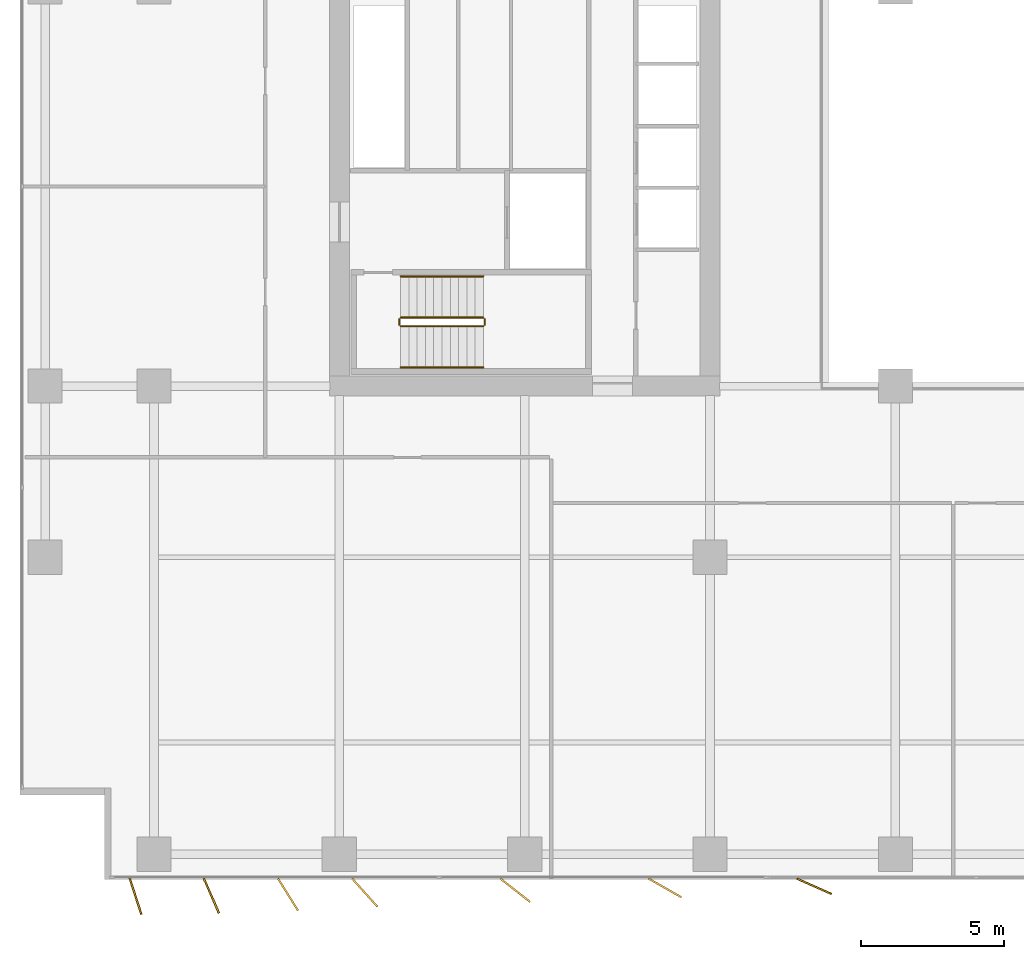
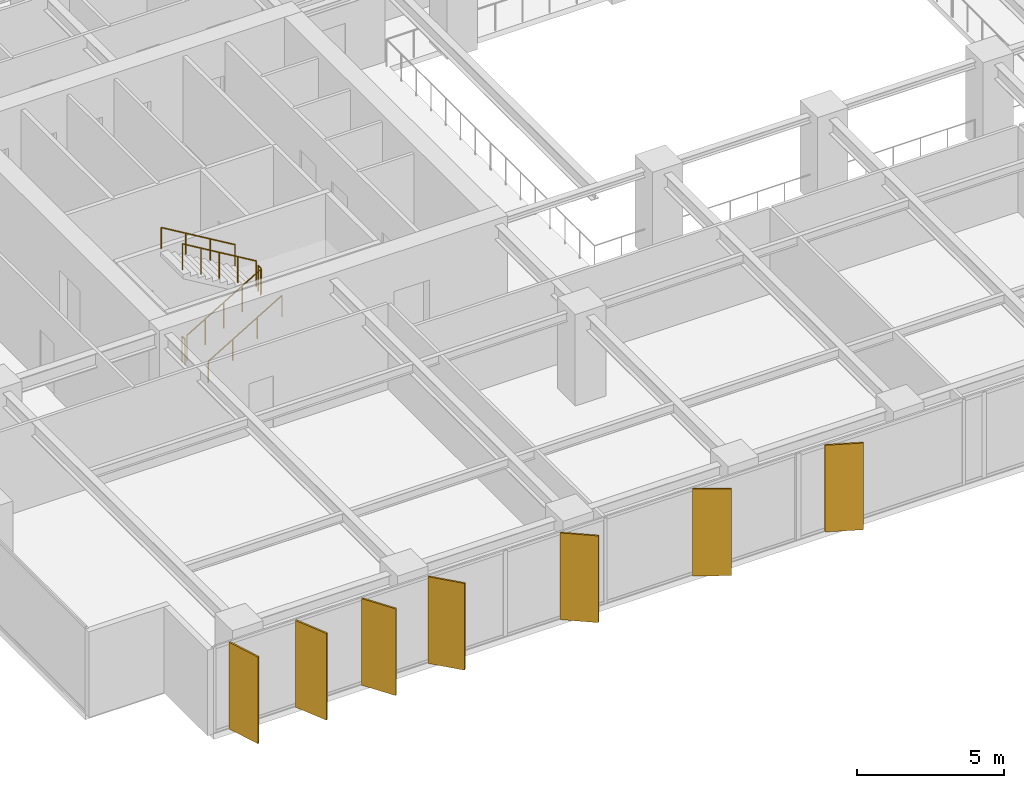
# One storey, part 17 of 20: 7 shading devices, 6 railings.
"""IFC4 building model written with IfcOpenShell, lengths in metres."""

import ifcopenshell
import ifcopenshell.guid

model = None  # the IFC model being written
_history = None  # IfcOwnerHistory: only IFC2X3 demands one
_inside = {}  # id of a spatial element -> (the spatial element, [elements in it])
_under = {}  # id of a project, library or spatial element -> (it, [spatial elements below it])
_declared = {}  # id of a project -> (the project, [libraries it declares])
_typed = {}  # id of a type object -> (the type object, [elements of that type])
_made_of = {}  # id of a material, layer set ... -> (it, [elements and type objects made of it])


def new_model(schema):
    """Start an empty IFC model of exactly this schema.

    Asked for "IFC4X3", IfcOpenShell would pick the latest addendum, in which some entities
    have other attributes; the version numbers below select the first issue.
    IFC2X3 requires an IfcOwnerHistory on every rooted entity: one is made here for all.
    """
    global model, _history
    if schema == "IFC4X3":
        model = ifcopenshell.file(schema_version=(4, 3, 0, 0))
    else:
        model = ifcopenshell.file(schema=schema)
    _inside.clear()
    _under.clear()
    _declared.clear()
    _typed.clear()
    _made_of.clear()
    _history = None
    if model.schema == "IFC2X3":
        org = make("IfcOrganization", Name="unknown")
        user = make(
            "IfcPersonAndOrganization",
            ThePerson=make("IfcPerson", FamilyName="unknown"),
            TheOrganization=org,
        )
        app = make(
            "IfcApplication",
            ApplicationDeveloper=org,
            Version="unknown",
            ApplicationFullName="unknown",
            ApplicationIdentifier="unknown",
        )
        _history = make(
            "IfcOwnerHistory",
            OwningUser=user,
            OwningApplication=app,
            ChangeAction="ADDED",
            CreationDate=0,
        )
    return model


def make(cls, **values):
    """One entity of the class cls with the attributes given. An attribute that is None is left unset."""
    return model.create_entity(
        cls, **{name: value for name, value in values.items() if value is not None}
    )


def rooted(cls, **values):
    """An entity with a GlobalId (a new one), such as an element, a storey or a relation."""
    return make(cls, GlobalId=ifcopenshell.guid.new(), OwnerHistory=_history, **values)


def si_unit(unit_type, name, prefix=None):
    """IfcSIUnit, for example si_unit("LENGTHUNIT", "METRE", prefix="MILLI")."""
    return make("IfcSIUnit", UnitType=unit_type, Prefix=prefix, Name=name)


def assignment(units):
    """IfcUnitAssignment: the units of a project."""
    return None if units is None else make("IfcUnitAssignment", Units=units)


def point(xyz):
    """IfcCartesianPoint."""
    return None if xyz is None else make("IfcCartesianPoint", Coordinates=xyz)


def direction(xyz):
    """IfcDirection."""
    return None if xyz is None else make("IfcDirection", DirectionRatios=xyz)


def frame(location, z_axis=None, x_axis=None):
    """IfcAxis2Placement3D, a coordinate frame: its origin and axes. An axis left out is left unset."""
    return make(
        "IfcAxis2Placement3D",
        Location=point(location),
        Axis=direction(z_axis),
        RefDirection=direction(x_axis),
    )


def frame_2d(location, x_axis=None):
    """IfcAxis2Placement2D, a coordinate frame in the plane: its origin and x axis."""
    return make(
        "IfcAxis2Placement2D", Location=point(location), RefDirection=direction(x_axis)
    )


def origin():
    """The frame at (0, 0, 0) with its axes left unset."""
    return frame((0.0, 0.0, 0.0))


def origin_2d():
    """The frame at (0, 0) in the plane with its x axis left unset."""
    return frame_2d((0.0, 0.0))


def place(relative_to, where):
    """IfcLocalPlacement: puts the frame where relative to a parent placement (None: the world)."""
    return make(
        "IfcLocalPlacement", PlacementRelTo=relative_to, RelativePlacement=where
    )


def context(
    kind, dimensions, precision=None, world=None, true_north=None, identifier=None
):
    """IfcGeometricRepresentationContext, for example the 3D "Model" context."""
    return make(
        "IfcGeometricRepresentationContext",
        ContextIdentifier=identifier,
        ContextType=kind,
        CoordinateSpaceDimension=dimensions,
        Precision=precision,
        WorldCoordinateSystem=world,
        TrueNorth=true_north,
    )


def subcontext(parent, identifier, kind, view, scale=None):
    """IfcGeometricRepresentationSubContext, for example "Body" below "Model"."""
    return make(
        "IfcGeometricRepresentationSubContext",
        ContextIdentifier=identifier,
        ContextType=kind,
        ParentContext=parent,
        TargetScale=scale,
        TargetView=view,
    )


def project(units=None, contexts=None):
    """IfcProject with its units and contexts."""
    return rooted(
        "IfcProject",
        Name="project",
        RepresentationContexts=contexts,
        UnitsInContext=assignment(units),
    )


def spatial(cls, under=None, at=None, **own):
    """A site, building, storey or space (cls), placed at a placement, below another one or the project."""
    s = rooted(cls, ObjectPlacement=at, **own)
    if under is not None:
        _under.setdefault(under.id(), (under, []))[1].append(s)
    return s


def profile(cls, at=None, kind="AREA", **sizes):
    """A parametric profile (cls). Its sizes go by their IFC names, for example OverallWidth=200.0."""
    return make(cls, ProfileType=kind, Position=at, **sizes)


def rectangle(**sizes):
    """IfcRectangleProfileDef."""
    return profile("IfcRectangleProfileDef", **sizes)


def circle(**sizes):
    """IfcCircleProfileDef."""
    return profile("IfcCircleProfileDef", **sizes)


def extrude(swept, where, along, depth):
    """IfcExtrudedAreaSolid: the profile swept, set in the frame where, extruded along a direction by depth."""
    return make(
        "IfcExtrudedAreaSolid",
        SweptArea=swept,
        Position=where,
        ExtrudedDirection=direction(along),
        Depth=depth,
    )


def shape(context_of_items, identifier, shape_type, items):
    """IfcShapeRepresentation: the items that make up one representation, for example the "Body"."""
    return make(
        "IfcShapeRepresentation",
        ContextOfItems=context_of_items,
        RepresentationIdentifier=identifier,
        RepresentationType=shape_type,
        Items=items,
    )


def material(Name=None, Category=None):
    """IfcMaterial."""
    return make("IfcMaterial", Name=Name, Category=Category)


def layer(
    of_material, thickness, ventilated=None, Name=None, Category=None, Priority=None
):
    """IfcMaterialLayer: one layer of a wall or slab, of a material (None: an air gap)."""
    return make(
        "IfcMaterialLayer",
        Material=of_material,
        LayerThickness=thickness,
        IsVentilated=ventilated,
        Name=Name,
        Category=Category,
        Priority=Priority,
    )


def layer_set(layers, Name=None):
    """IfcMaterialLayerSet."""
    return make("IfcMaterialLayerSet", MaterialLayers=layers, LayerSetName=Name)


def made_of(thing, what):
    """Note that an element or type object is made of a material, layer set ...; save() writes the relation."""
    if what is not None:
        _made_of.setdefault(what.id(), (what, []))[1].append(thing)
    return thing


def type_object(cls, material=None, **own):
    """A type object (cls), such as IfcWallType, which elements share."""
    return made_of(rooted(cls, **own), material)


def element(
    cls,
    number,
    at=None,
    inside=None,
    cuts=None,
    type_object=None,
    material=None,
    context=None,
    identifier="Body",
    shape_type=None,
    held_by="IfcProductDefinitionShape",
    body=None,
    shapes=None,
    **own,
):
    """One element of the class cls, such as IfcWall. Its Tag is "e" and its number.

    at: its placement. inside: the storey or other place that contains it. cuts: it is an
    opening in that element (IfcRelVoidsElement). A single representation is given by context,
    identifier, shape_type and body (its items); several are given by shapes. held_by: the class
    of the entity that holds the representations. save() writes the other relations.
    """
    e = rooted(cls, Tag="e%d" % number, ObjectPlacement=at, **own)
    if body is not None:
        shapes = [shape(context, identifier, shape_type, body)]
    if shapes is not None:
        e.Representation = make(held_by, Representations=shapes)
    if inside is not None:
        _inside.setdefault(inside.id(), (inside, []))[1].append(e)
    if cuts is not None:
        rooted(
            "IfcRelVoidsElement", RelatingBuildingElement=cuts, RelatedOpeningElement=e
        )
    if type_object is not None:
        _typed.setdefault(type_object.id(), (type_object, []))[1].append(e)
    return made_of(e, material)


def aggregate(whole, parts):
    """IfcRelAggregates: a whole, such as a stair, and the parts it consists of."""
    return rooted("IfcRelAggregates", RelatingObject=whole, RelatedObjects=parts)


def save(model, path):
    """Write the relations noted so far, then the file.

    IfcRelAggregates (storeys below a building ...), IfcRelContainedInSpatialStructure (elements
    in a storey), IfcRelDefinesByType, IfcRelAssociatesMaterial and IfcRelDeclares: one each for
    every whole, place, type object, material and project.
    """
    for whole, parts in _under.values():
        aggregate(whole, parts)
    for where, things in _inside.values():
        rooted(
            "IfcRelContainedInSpatialStructure",
            RelatedElements=things,
            RelatingStructure=where,
        )
    for kind, things in _typed.values():
        rooted("IfcRelDefinesByType", RelatedObjects=things, RelatingType=kind)
    for what, things in _made_of.values():
        rooted("IfcRelAssociatesMaterial", RelatedObjects=things, RelatingMaterial=what)
    for by, libraries in _declared.values():
        rooted("IfcRelDeclares", RelatingContext=by, RelatedDefinitions=libraries)
    model.write(path)


model = new_model("IFC4")

# Units and contexts
model_context = context("Model", 3, precision=1e-05, world=origin(), true_north=direction((0.0, 1.0)))
body_context = subcontext(model_context, "Body", "Model", "MODEL_VIEW")
ifc_project = project(units=[si_unit("LENGTHUNIT", "METRE"), si_unit("AREAUNIT", "SQUARE_METRE"), si_unit("VOLUMEUNIT", "CUBIC_METRE"), si_unit("PLANEANGLEUNIT", "RADIAN"), si_unit("MASSUNIT", "GRAM", prefix="KILO")], contexts=[model_context])

# Site, building, storey
site_placement = place(None, origin())
site = spatial("IfcSite", under=ifc_project, at=site_placement, CompositionType="ELEMENT")
building_placement = place(site_placement, origin())
building = spatial("IfcBuilding", under=site, at=building_placement, Name="Putna Gate Headquarters", CompositionType="ELEMENT")
storey_placement = place(building_placement, frame((0.0, 0.0, 108.800048828125)))
storey = spatial("IfcBuildingStorey", under=building, at=storey_placement, Name="L26", CompositionType="ELEMENT", Elevation=108.800048828125)

# Railings
ifc_material_1 = material(Name="Powder-coated steel stair guardrail", Category="steel")
railing_type_1 = type_object("IfcRailingType", Name="RAIL-STAIR-GUARD-1100", PredefinedType="GUARDRAIL", material=ifc_material_1)
railing_1_placement = place(storey_placement, frame((15.14990234375, 21.10009765625, 0.172607421875)))
element("IfcRailing", 1, at=railing_1_placement, inside=storey, type_object=railing_type_1, Name="L26 ST1 stair guard 1", PredefinedType="GUARDRAIL", context=body_context, shape_type="SweptSolid", body=[
    extrude(circle(Radius=0.02392578125, at=origin_2d()), frame((0.0, 0.0, 1.076171875), z_axis=(0.859160404282, 0.0, 0.51170636083), x_axis=(0.0, 1.0, 0.0)), (0.0, 0.0, 1.0), 3.37548828125),
    extrude(circle(Radius=0.02099609375, at=origin_2d()), origin(), (0.0, 0.0, 1.0), 1.052001953125),
    extrude(circle(Radius=0.02099609375, at=origin_2d()), frame((0.72509765625, 0.0, 0.431884765625)), (0.0, 0.0, 1.0), 1.052001953125),
    extrude(circle(Radius=0.02099609375, at=origin_2d()), frame((1.4501953125, 0.0, 0.86376953125)), (0.0, 0.0, 1.0), 1.052001953125),
    extrude(circle(Radius=0.02099609375, at=origin_2d()), frame((2.175048828125, 0.0, 1.29541015625)), (0.0, 0.0, 1.0), 1.052001953125),
    extrude(circle(Radius=0.02099609375, at=origin_2d()), frame((2.900146484375, 0.0, 1.727294921875)), (0.0, 0.0, 1.0), 1.052001953125),
])
railing_2_placement = place(storey_placement, frame((18.10009765625, 21.14990234375, 1.89990234375)))
element("IfcRailing", 2, at=railing_2_placement, inside=storey, type_object=railing_type_1, Name="L26 ST1 stair guard 2", PredefinedType="GUARDRAIL", context=body_context, shape_type="SweptSolid", body=[
    extrude(circle(Radius=0.02392578125, at=origin_2d()), frame((0.0, 0.0, 1.076171875), z_axis=(0.0, 1.0, 0.0), x_axis=(-1.0, 0.0, 0.0)), (0.0, 0.0, 1.0), 0.2001953125),
    extrude(circle(Radius=0.02099609375, at=origin_2d()), origin(), (0.0, 0.0, 1.0), 1.052001953125),
    extrude(circle(Radius=0.02099609375, at=origin_2d()), frame((0.0, 0.2001953125, 0.0)), (0.0, 0.0, 1.0), 1.052001953125),
])
railing_3_placement = place(storey_placement, frame((18.050048828125, 21.39990234375, 2.07275390625)))
element("IfcRailing", 3, at=railing_3_placement, inside=storey, type_object=railing_type_1, Name="L26 ST1 stair guard 3", PredefinedType="GUARDRAIL", context=body_context, shape_type="SweptSolid", body=[
    extrude(circle(Radius=0.02392578125, at=origin_2d()), frame((0.0, 0.0, 1.076171875), z_axis=(-0.859160404282, 0.0, 0.51170636083), x_axis=(0.0, -1.0, 0.0)), (0.0, 0.0, 1.0), 3.37548828125),
    extrude(circle(Radius=0.02099609375, at=origin_2d()), origin(), (0.0, 0.0, 1.0), 1.052001953125),
    extrude(circle(Radius=0.02099609375, at=origin_2d()), frame((-0.72509765625, 0.0, 0.431884765625)), (0.0, 0.0, 1.0), 1.052001953125),
    extrude(circle(Radius=0.02099609375, at=origin_2d()), frame((-1.4501953125, 0.0, 0.86376953125)), (0.0, 0.0, 1.0), 1.052001953125),
    extrude(circle(Radius=0.02099609375, at=origin_2d()), frame((-2.175048828125, 0.0, 1.29541015625)), (0.0, 0.0, 1.0), 1.052001953125),
    extrude(circle(Radius=0.02099609375, at=origin_2d()), frame((-2.900146484375, 0.0, 1.727294921875)), (0.0, 0.0, 1.0), 1.052001953125),
])
railing_4_placement = place(storey_placement, frame((15.10009765625, 21.14990234375, 0.0)))
element("IfcRailing", 4, at=railing_4_placement, inside=storey, type_object=railing_type_1, Name="L26 ST1 stair guard 4", PredefinedType="GUARDRAIL", context=body_context, shape_type="SweptSolid", body=[
    extrude(circle(Radius=0.02392578125, at=origin_2d()), frame((0.0, 0.0, 1.076171875), z_axis=(0.0, 1.0, 0.0), x_axis=(-1.0, 0.0, 0.0)), (0.0, 0.0, 1.0), 0.2001953125),
    extrude(circle(Radius=0.02099609375, at=origin_2d()), origin(), (0.0, 0.0, 1.0), 1.052001953125),
    extrude(circle(Radius=0.02099609375, at=origin_2d()), frame((0.0, 0.2001953125, 0.0)), (0.0, 0.0, 1.0), 1.052001953125),
])
ifc_material_2 = material(Name="Brushed stainless steel handrail", Category="steel")
railing_type_2 = type_object("IfcRailingType", Name="RAIL-STAIR-HAND-900", PredefinedType="HANDRAIL", material=ifc_material_2)
railing_5_placement = place(storey_placement, frame((15.14990234375, 19.64990234375, 0.172607421875)))
element("IfcRailing", 5, at=railing_5_placement, inside=storey, type_object=railing_type_2, Name="L26 ST1 stair handrail 1", PredefinedType="HANDRAIL", context=body_context, shape_type="SweptSolid", body=[
    extrude(circle(Radius=0.02392578125, at=origin_2d()), frame((0.0, 0.0, 0.8759765625), z_axis=(0.859160404282, 0.0, 0.51170636083), x_axis=(0.0, 1.0, 0.0)), (0.0, 0.0, 1.0), 3.37548828125),
    extrude(circle(Radius=0.02099609375, at=origin_2d()), origin(), (0.0, 0.0, 1.0), 0.851806640625),
    extrude(circle(Radius=0.02099609375, at=origin_2d()), frame((0.966796875, 0.0, 0.57568359375)), (0.0, 0.0, 1.0), 0.851806640625),
    extrude(circle(Radius=0.02099609375, at=origin_2d()), frame((1.933349609375, 0.0, 1.151611328125)), (0.0, 0.0, 1.0), 0.851806640625),
    extrude(circle(Radius=0.02099609375, at=origin_2d()), frame((2.900146484375, 0.0, 1.727294921875)), (0.0, 0.0, 1.0), 0.851806640625),
])
railing_6_placement = place(storey_placement, frame((18.050048828125, 22.85009765625, 2.07275390625)))
element("IfcRailing", 6, at=railing_6_placement, inside=storey, type_object=railing_type_2, Name="L26 ST1 stair handrail 2", PredefinedType="HANDRAIL", context=body_context, shape_type="SweptSolid", body=[
    extrude(circle(Radius=0.02392578125, at=origin_2d()), frame((0.0, 0.0, 0.8759765625), z_axis=(-0.859160404282, 0.0, 0.51170636083), x_axis=(0.0, -1.0, 0.0)), (0.0, 0.0, 1.0), 3.37548828125),
    extrude(circle(Radius=0.02099609375, at=origin_2d()), origin(), (0.0, 0.0, 1.0), 0.851806640625),
    extrude(circle(Radius=0.02099609375, at=origin_2d()), frame((-0.966796875, 0.0, 0.57568359375)), (0.0, 0.0, 1.0), 0.851806640625),
    extrude(circle(Radius=0.02099609375, at=origin_2d()), frame((-1.933349609375, 0.0, 1.151611328125)), (0.0, 0.0, 1.0), 0.851806640625),
    extrude(circle(Radius=0.02099609375, at=origin_2d()), frame((-2.900146484375, 0.0, 1.727294921875)), (0.0, 0.0, 1.0), 0.851806640625),
])

# Shading devices
ifc_material_3 = material(Name="Anodised architectural bronze aluminium fin", Category="aluminium")
ifc_layer = layer(ifc_material_3, 0.06494140625)
ifc_layer_set = layer_set([ifc_layer], Name="Anodised architectural bronze aluminium fin")
shading_device_type = type_object("IfcShadingDeviceType", Name="SHADE-BRONZE-FIN-1320", PredefinedType="USERDEFINED", material=ifc_layer_set)
for number, where, z_axis, x_axis, name in (
    (7, (5.853759765625, 1.09716796875, -0.02001953125), (0.0, 0.0, 1.0), (0.308684994204, -0.951164325631, 0.0), "L26 Bronze Vertical Shading Fin S1"),
    (8, (8.514404296875, 1.120361328125, -0.02001953125), (0.0, 0.0, 1.0), (0.400668879095, -0.916222925562, 0.0), "L26 Bronze Vertical Shading Fin S2"),
    (9, (11.2001953125, 1.16552734375, -0.02001953125), (0.0, 0.0, 1.0), (0.530659123936, -0.847585331506, 0.0), "L26 Bronze Vertical Shading Fin S3"),
    (10, (13.8916015625, 1.234619140625, -0.02001953125), (0.0, 0.0, 1.0), (0.669130606359, -0.743144825477, 0.0), "L26 Bronze Vertical Shading Fin S4"),
    (11, (19.169677734375, 1.318115234375, -0.02001953125), (0.0, 0.0, 1.0), (0.787473187632, -0.616348909921, 0.0), "L26 Bronze Vertical Shading Fin S5"),
    (12, (24.423828125, 1.398681640625, -0.02001953125), (0.0, 0.0, 1.0), (0.869322458298, -0.494245347472, 0.0), "L26 Bronze Vertical Shading Fin S6"),
    (13, (29.653076171875, 1.456787109375, -0.02001953125), (0.0, 0.0, 1.0), (0.913687379856, -0.40641773078, 0.0), "L26 Bronze Vertical Shading Fin S7"),
):
    element("IfcShadingDevice", number, at=place(storey_placement, frame(where, z_axis=z_axis, x_axis=x_axis)), inside=storey, type_object=shading_device_type, Name=name, ObjectType="FIN", PredefinedType="USERDEFINED", context=body_context, shape_type="SweptSolid", body=[
        extrude(rectangle(XDim=1.320068359375, YDim=0.06494140625, at=origin_2d()), origin(), (0.0, 0.0, 1.0), 3.60498046875),
    ])

save(model, "model.ifc")
